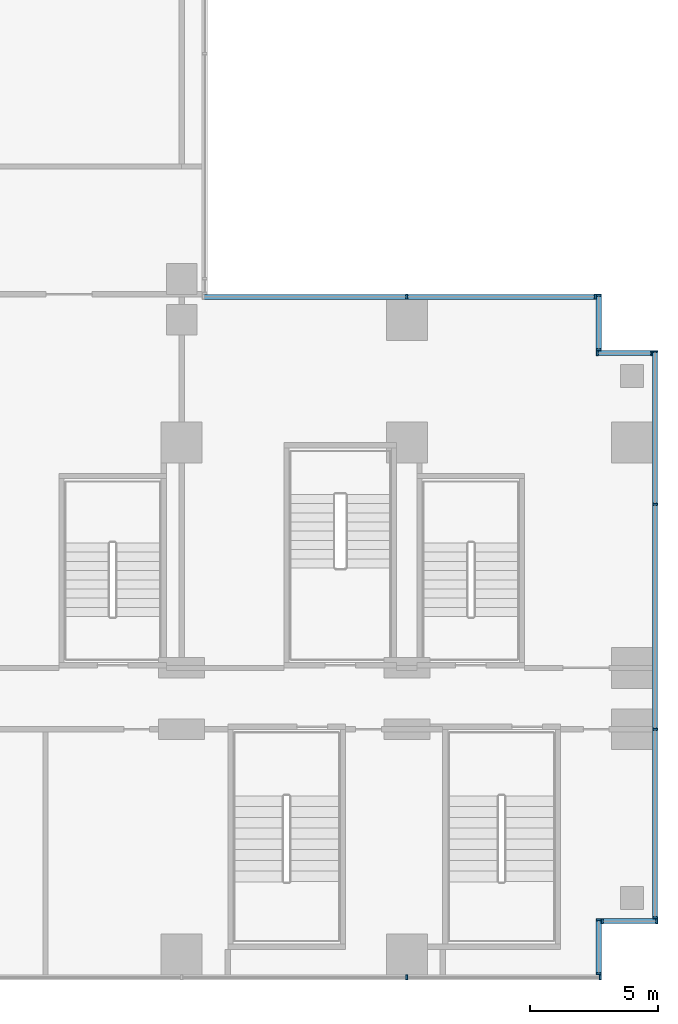
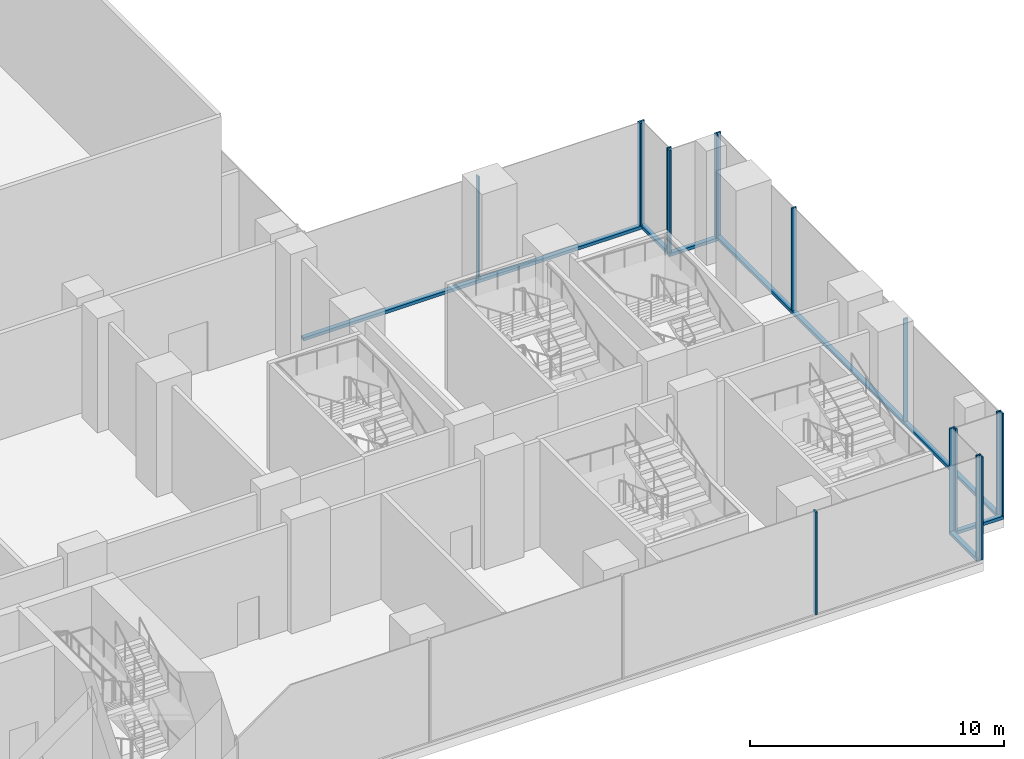
# One storey, part 10 of 30: 22 members, 7 elements without a shape of their own.
"""IFC4 building model written with IfcOpenShell, lengths in metres."""

from ifc_helpers import new_model, si_unit, direction, frame, origin, origin_2d, place, context, subcontext, project, spatial, rectangle, extrude, source, transform, mapped, material, material_profile, profile_set, type_object, element, aggregate, save


model = new_model("IFC4")

# Units and contexts
model_context = context("Model", 3, precision=1e-05, world=origin(), true_north=direction((0.0, 1.0)))
body_context = subcontext(model_context, "Body", "Model", "MODEL_VIEW")
ifc_project = project(units=[si_unit("LENGTHUNIT", "METRE"), si_unit("AREAUNIT", "SQUARE_METRE"), si_unit("VOLUMEUNIT", "CUBIC_METRE"), si_unit("PLANEANGLEUNIT", "RADIAN"), si_unit("MASSUNIT", "GRAM", prefix="KILO")], contexts=[model_context])

# Site, building, storey
site_placement = place(None, origin())
site = spatial("IfcSite", under=ifc_project, at=site_placement, CompositionType="ELEMENT")
building_placement = place(site_placement, origin())
building = spatial("IfcBuilding", under=site, at=building_placement, Name="Kemantara Hotel Tower", CompositionType="ELEMENT")
storey_placement = place(building_placement, frame((0.0, 0.0, 18.0)))
storey = spatial("IfcBuildingStorey", under=building, at=storey_placement, Name="L03", CompositionType="ELEMENT", Elevation=18.0)

# Curtain wall, member
ifc_material_1 = material(Name="Laminated tinted insulated glass 44 mm", Category="glass")
curtain_wall_type = type_object("IfcCurtainWallType", Name="PODIUM GLASS CURTAIN WALL", PredefinedType="USERDEFINED", material=ifc_material_1)
curtain_wall_1_placement = place(storey_placement, origin())
curtain_wall_1 = element("IfcCurtainWall", 1, at=curtain_wall_1_placement, inside=storey, type_object=curtain_wall_type, Name="CW1 L03 POD-R04-1", ObjectType="PODIUM GLASS CURTAIN WALL", PredefinedType="USERDEFINED")
ifc_material_2 = material(Name="Aluminium 6063-T6 bronze anodised", Category="aluminium")
ifc_material_profile_1 = material_profile(ifc_material_2, rectangle(XDim=0.199951171875, YDim=0.14990234375, at=origin_2d()), Name="PODIUM GLASS CURTAIN WALL TRANSOM")
ifc_profile_set_1 = profile_set([ifc_material_profile_1], Name="Aluminium 6063-T6 bronze anodised")
member_type_1 = type_object("IfcMemberType", Name="PODIUM GLASS CURTAIN WALL TRANSOM", PredefinedType="USERDEFINED", material=ifc_profile_set_1)
member_1_placement = place(storey_placement, frame((81.10009765625, 2.39990234375, 0.074951171875), z_axis=(0.0, 1.0, 0.0), x_axis=(-1.0, 0.0, 0.0)))
member_1 = element("IfcMember", 2, at=member_1_placement, type_object=member_type_1, Name="CW1 sill transom POD-R04-1", ObjectType="TRANSOM", PredefinedType="USERDEFINED", context=body_context, shape_type="SweptSolid", body=[
    extrude(rectangle(XDim=0.199951171875, YDim=0.14990234375, at=origin_2d()), origin(), (0.0, 0.0, 1.0), 22.2001953125),
])

curtain_wall_2_placement = place(storey_placement, origin())
curtain_wall_2 = element("IfcCurtainWall", 3, at=curtain_wall_2_placement, inside=storey, type_object=curtain_wall_type, Name="CW1 L03 POD-R07-1", ObjectType="PODIUM GLASS CURTAIN WALL", PredefinedType="USERDEFINED")
member_2_placement = place(storey_placement, frame((78.800048828125, 26.699951171875, 0.074951171875), z_axis=(-1.0, 0.0, 0.0), x_axis=(0.0, -1.0, 0.0)))
member_2 = element("IfcMember", 4, at=member_2_placement, type_object=member_type_1, Name="CW1 sill transom POD-R07-1", ObjectType="TRANSOM", PredefinedType="USERDEFINED", context=body_context, shape_type="SweptSolid", body=[
    extrude(rectangle(XDim=0.199951171875, YDim=0.14990234375, at=origin_2d()), origin(), (0.0, 0.0, 1.0), 15.400146484375),
])

curtain_wall_3_placement = place(storey_placement, origin())
curtain_wall_3 = element("IfcCurtainWall", 5, at=curtain_wall_3_placement, inside=storey, type_object=curtain_wall_type, Name="CW1 L03 POD-R02-1", ObjectType="PODIUM GLASS CURTAIN WALL", PredefinedType="USERDEFINED")
member_3_placement = place(storey_placement, frame((78.89990234375, 0.199951171875, 0.074951171875), z_axis=(0.0, 1.0, 0.0), x_axis=(-1.0, 0.0, 0.0)))
member_3 = element("IfcMember", 6, at=member_3_placement, type_object=member_type_1, Name="CW1 sill transom POD-R02-1", ObjectType="TRANSOM", PredefinedType="USERDEFINED", context=body_context, shape_type="SweptSolid", body=[
    extrude(rectangle(XDim=0.199951171875, YDim=0.14990234375, at=origin_2d()), origin(), (0.0, 0.0, 1.0), 2.199951171875),
])

curtain_wall_4_placement = place(storey_placement, origin())
curtain_wall_4 = element("IfcCurtainWall", 7, at=curtain_wall_4_placement, inside=storey, type_object=curtain_wall_type, Name="CW1 L03 POD-R03-1", ObjectType="PODIUM GLASS CURTAIN WALL", PredefinedType="USERDEFINED")
member_4_placement = place(storey_placement, frame((79.0, 2.300048828125, 0.074951171875), z_axis=(1.0, 0.0, 0.0), x_axis=(0.0, 1.0, 0.0)))
member_4 = element("IfcMember", 8, at=member_4_placement, type_object=member_type_1, Name="CW1 sill transom POD-R03-1", ObjectType="TRANSOM", PredefinedType="USERDEFINED", context=body_context, shape_type="SweptSolid", body=[
    extrude(rectangle(XDim=0.199951171875, YDim=0.14990234375, at=origin_2d()), origin(), (0.0, 0.0, 1.0), 2.199951171875),
])

curtain_wall_5_placement = place(storey_placement, origin())
curtain_wall_5 = element("IfcCurtainWall", 9, at=curtain_wall_5_placement, inside=storey, type_object=curtain_wall_type, Name="CW1 L03 POD-R05-1", ObjectType="PODIUM GLASS CURTAIN WALL", PredefinedType="USERDEFINED")
member_5_placement = place(storey_placement, frame((81.0, 24.5, 0.074951171875), z_axis=(-1.0, 0.0, 0.0), x_axis=(0.0, -1.0, 0.0)))
member_5 = element("IfcMember", 10, at=member_5_placement, type_object=member_type_1, Name="CW1 sill transom POD-R05-1", ObjectType="TRANSOM", PredefinedType="USERDEFINED", context=body_context, shape_type="SweptSolid", body=[
    extrude(rectangle(XDim=0.199951171875, YDim=0.14990234375, at=origin_2d()), origin(), (0.0, 0.0, 1.0), 2.199951171875),
])

curtain_wall_6_placement = place(storey_placement, origin())
curtain_wall_6 = element("IfcCurtainWall", 11, at=curtain_wall_6_placement, inside=storey, type_object=curtain_wall_type, Name="CW1 L03 POD-R06-1", ObjectType="PODIUM GLASS CURTAIN WALL", PredefinedType="USERDEFINED")
member_6_placement = place(storey_placement, frame((78.89990234375, 24.60009765625, 0.074951171875), z_axis=(0.0, 1.0, 0.0), x_axis=(-1.0, 0.0, 0.0)))
member_6 = element("IfcMember", 12, at=member_6_placement, type_object=member_type_1, Name="CW1 sill transom POD-R06-1", ObjectType="TRANSOM", PredefinedType="USERDEFINED", context=body_context, shape_type="SweptSolid", body=[
    extrude(rectangle(XDim=0.199951171875, YDim=0.14990234375, at=origin_2d()), origin(), (0.0, 0.0, 1.0), 2.199951171875),
])

# Curtain wall, members
curtain_wall_7_placement = place(storey_placement, origin())
curtain_wall_7 = element("IfcCurtainWall", 13, at=curtain_wall_7_placement, inside=storey, type_object=curtain_wall_type, Name="CW1 L03 POD-R01-2", ObjectType="PODIUM GLASS CURTAIN WALL", PredefinedType="USERDEFINED")
ifc_material_profile_2 = material_profile(ifc_material_2, rectangle(XDim=0.199951171875, YDim=0.074951171875, at=origin_2d()), Name="PODIUM GLASS CURTAIN WALL MULLION")
ifc_profile_set_2 = profile_set([ifc_material_profile_2], Name="Aluminium 6063-T6 bronze anodised")
member_type_2 = type_object("IfcMemberType", Name="PODIUM GLASS CURTAIN WALL MULLION", PredefinedType="MULLION", material=ifc_profile_set_2)
shared_shape = source(origin(), body_context, "Body", "SweptSolid", [
    extrude(rectangle(XDim=0.199951171875, YDim=0.074951171875, at=origin_2d()), origin(), (0.0, 0.0, 1.0), 4.9501953125),
])
member_7_placement = place(storey_placement, frame((71.39990234375, 0.10009765625, 0.14990234375), z_axis=(0.0, 0.0, 1.0), x_axis=(0.0, 1.0, 0.0)))
member_7 = element("IfcMember", 14, at=member_7_placement, type_object=member_type_2, Name="CW1 mullion POD-R01-2.4", PredefinedType="MULLION", context=body_context, shape_type="MappedRepresentation", body=[
    mapped(shared_shape, transform((0.0, 0.0, 0.0))),
])
member_8_placement = place(storey_placement, frame((78.96240234375, 0.10009765625, 0.14990234375), z_axis=(0.0, 0.0, 1.0), x_axis=(0.0, 1.0, 0.0)))
member_8 = element("IfcMember", 15, at=member_8_placement, type_object=member_type_2, Name="CW1 mullion POD-R01-2.5", PredefinedType="MULLION", context=body_context, shape_type="MappedRepresentation", body=[
    mapped(shared_shape, transform((0.0, 0.0, 0.0))),
])
aggregate(curtain_wall_7, [member_7, member_8])

# Member
member_9_placement = place(storey_placement, frame((81.10009765625, 2.4375, 0.14990234375), z_axis=(0.0, 0.0, 1.0), x_axis=(-1.0, 0.0, 0.0)))
member_9 = element("IfcMember", 16, at=member_9_placement, type_object=member_type_2, Name="CW1 mullion POD-R04-1.1", PredefinedType="MULLION", context=body_context, shape_type="MappedRepresentation", body=[
    mapped(shared_shape, transform((0.0, 0.0, 0.0))),
])

member_10_placement = place(storey_placement, frame((81.10009765625, 9.800048828125, 0.14990234375), z_axis=(0.0, 0.0, 1.0), x_axis=(-1.0, 0.0, 0.0)))
member_10 = element("IfcMember", 17, at=member_10_placement, type_object=member_type_2, Name="CW1 mullion POD-R04-1.2", PredefinedType="MULLION", context=body_context, shape_type="MappedRepresentation", body=[
    mapped(shared_shape, transform((0.0, 0.0, 0.0))),
])

member_11_placement = place(storey_placement, frame((81.10009765625, 18.60009765625, 0.14990234375), z_axis=(0.0, 0.0, 1.0), x_axis=(-1.0, 0.0, 0.0)))
member_11 = element("IfcMember", 18, at=member_11_placement, type_object=member_type_2, Name="CW1 mullion POD-R04-1.3", PredefinedType="MULLION", context=body_context, shape_type="MappedRepresentation", body=[
    mapped(shared_shape, transform((0.0, 0.0, 0.0))),
])

member_12_placement = place(storey_placement, frame((81.10009765625, 24.5625, 0.14990234375), z_axis=(0.0, 0.0, 1.0), x_axis=(-1.0, 0.0, 0.0)))
member_12 = element("IfcMember", 19, at=member_12_placement, type_object=member_type_2, Name="CW1 mullion POD-R04-1.4", PredefinedType="MULLION", context=body_context, shape_type="MappedRepresentation", body=[
    mapped(shared_shape, transform((0.0, 0.0, 0.0))),
])

aggregate(curtain_wall_1, [member_1, member_9, member_10, member_11, member_12])

member_13_placement = place(storey_placement, frame((78.762451171875, 26.699951171875, 0.14990234375), z_axis=(0.0, 0.0, 1.0), x_axis=(0.0, -1.0, 0.0)))
member_13 = element("IfcMember", 20, at=member_13_placement, type_object=member_type_2, Name="CW1 mullion POD-R07-1.1", PredefinedType="MULLION", context=body_context, shape_type="MappedRepresentation", body=[
    mapped(shared_shape, transform((0.0, 0.0, 0.0))),
])

member_14_placement = place(storey_placement, frame((71.39990234375, 26.699951171875, 0.14990234375), z_axis=(0.0, 0.0, 1.0), x_axis=(0.0, -1.0, 0.0)))
member_14 = element("IfcMember", 21, at=member_14_placement, type_object=member_type_2, Name="CW1 mullion POD-R07-1.2", PredefinedType="MULLION", context=body_context, shape_type="MappedRepresentation", body=[
    mapped(shared_shape, transform((0.0, 0.0, 0.0))),
])

aggregate(curtain_wall_2, [member_2, member_13, member_14])

member_15_placement = place(storey_placement, frame((78.89990234375, 0.237548828125, 0.14990234375), z_axis=(0.0, 0.0, 1.0), x_axis=(-1.0, 0.0, 0.0)))
member_15 = element("IfcMember", 22, at=member_15_placement, type_object=member_type_2, Name="CW1 mullion POD-R02-1.1", PredefinedType="MULLION", context=body_context, shape_type="MappedRepresentation", body=[
    mapped(shared_shape, transform((0.0, 0.0, 0.0))),
])

member_16_placement = place(storey_placement, frame((78.89990234375, 2.362548828125, 0.14990234375), z_axis=(0.0, 0.0, 1.0), x_axis=(-1.0, 0.0, 0.0)))
member_16 = element("IfcMember", 23, at=member_16_placement, type_object=member_type_2, Name="CW1 mullion POD-R02-1.2", PredefinedType="MULLION", context=body_context, shape_type="MappedRepresentation", body=[
    mapped(shared_shape, transform((0.0, 0.0, 0.0))),
])

aggregate(curtain_wall_3, [member_3, member_15, member_16])

member_17_placement = place(storey_placement, frame((79.03759765625, 2.300048828125, 0.14990234375), z_axis=(0.0, 0.0, 1.0), x_axis=(0.0, 1.0, 0.0)))
member_17 = element("IfcMember", 24, at=member_17_placement, type_object=member_type_2, Name="CW1 mullion POD-R03-1.1", PredefinedType="MULLION", context=body_context, shape_type="MappedRepresentation", body=[
    mapped(shared_shape, transform((0.0, 0.0, 0.0))),
])

member_18_placement = place(storey_placement, frame((81.16259765625, 2.300048828125, 0.14990234375), z_axis=(0.0, 0.0, 1.0), x_axis=(0.0, 1.0, 0.0)))
member_18 = element("IfcMember", 25, at=member_18_placement, type_object=member_type_2, Name="CW1 mullion POD-R03-1.2", PredefinedType="MULLION", context=body_context, shape_type="MappedRepresentation", body=[
    mapped(shared_shape, transform((0.0, 0.0, 0.0))),
])

aggregate(curtain_wall_4, [member_4, member_17, member_18])

member_19_placement = place(storey_placement, frame((80.96240234375, 24.5, 0.14990234375), z_axis=(0.0, 0.0, 1.0), x_axis=(0.0, -1.0, 0.0)))
member_19 = element("IfcMember", 26, at=member_19_placement, type_object=member_type_2, Name="CW1 mullion POD-R05-1.1", PredefinedType="MULLION", context=body_context, shape_type="MappedRepresentation", body=[
    mapped(shared_shape, transform((0.0, 0.0, 0.0))),
])

member_20_placement = place(storey_placement, frame((78.83740234375, 24.5, 0.14990234375), z_axis=(0.0, 0.0, 1.0), x_axis=(0.0, -1.0, 0.0)))
member_20 = element("IfcMember", 27, at=member_20_placement, type_object=member_type_2, Name="CW1 mullion POD-R05-1.2", PredefinedType="MULLION", context=body_context, shape_type="MappedRepresentation", body=[
    mapped(shared_shape, transform((0.0, 0.0, 0.0))),
])

aggregate(curtain_wall_5, [member_5, member_19, member_20])

member_21_placement = place(storey_placement, frame((78.89990234375, 24.637451171875, 0.14990234375), z_axis=(0.0, 0.0, 1.0), x_axis=(-1.0, 0.0, 0.0)))
member_21 = element("IfcMember", 28, at=member_21_placement, type_object=member_type_2, Name="CW1 mullion POD-R06-1.1", PredefinedType="MULLION", context=body_context, shape_type="MappedRepresentation", body=[
    mapped(shared_shape, transform((0.0, 0.0, 0.0))),
])

member_22_placement = place(storey_placement, frame((78.89990234375, 26.762451171875, 0.14990234375), z_axis=(0.0, 0.0, 1.0), x_axis=(-1.0, 0.0, 0.0)))
member_22 = element("IfcMember", 29, at=member_22_placement, type_object=member_type_2, Name="CW1 mullion POD-R06-1.2", PredefinedType="MULLION", context=body_context, shape_type="MappedRepresentation", body=[
    mapped(shared_shape, transform((0.0, 0.0, 0.0))),
])

aggregate(curtain_wall_6, [member_6, member_21, member_22])

save(model, "model.ifc")
